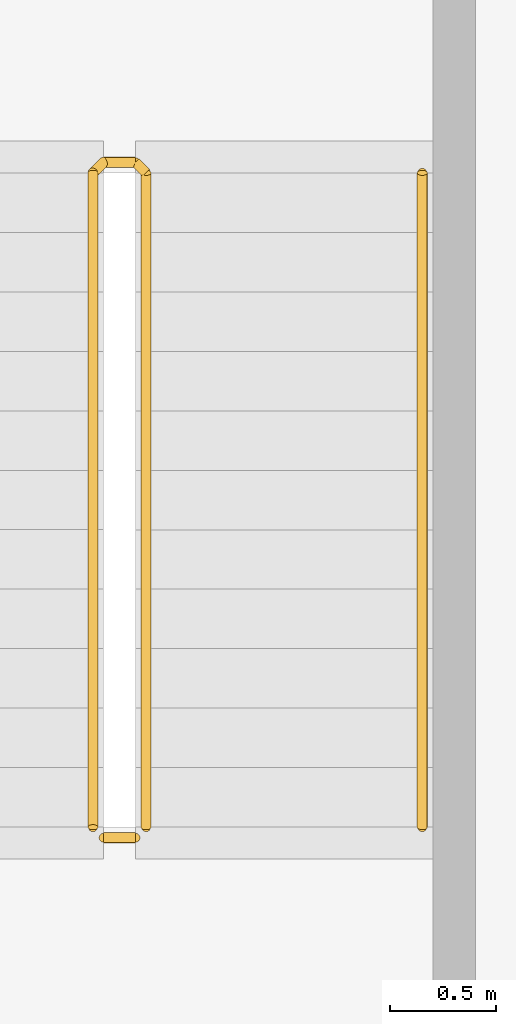
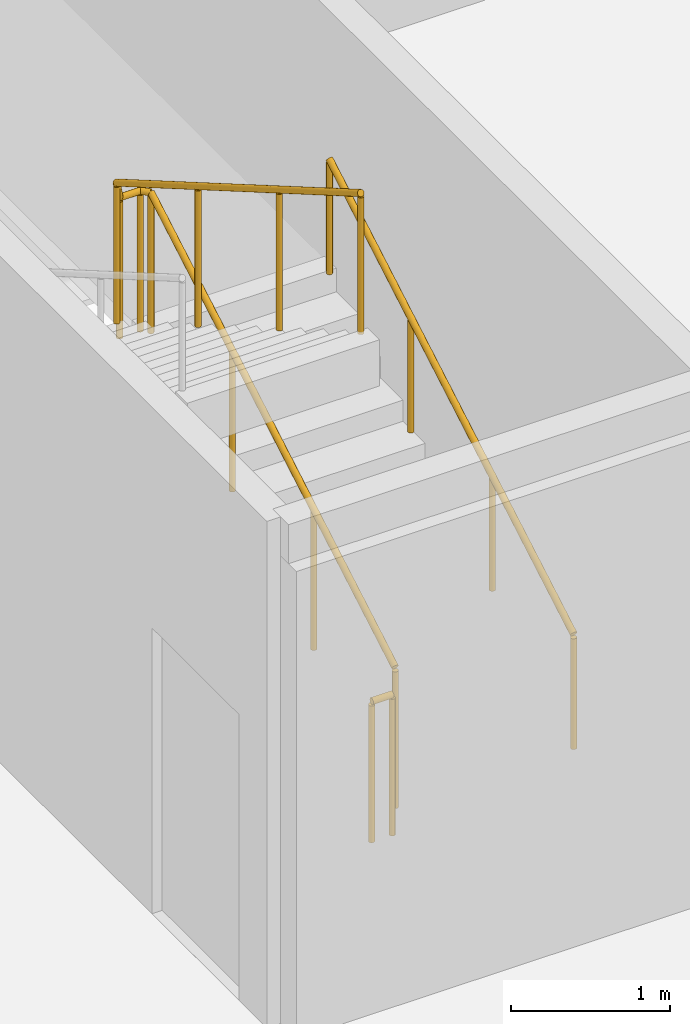
# One storey, part 21 of 22: 3 railings.
"""IFC4 building model written with IfcOpenShell, lengths in metres."""

from ifc_helpers import new_model, si_unit, direction, frame, origin, origin_2d, place, context, subcontext, project, spatial, circle, extrude, material, type_object, element, save


model = new_model("IFC4")

# Units and contexts
model_context = context("Model", 3, precision=1e-05, world=origin(), true_north=direction((0.0, 1.0)))
body_context = subcontext(model_context, "Body", "Model", "MODEL_VIEW")
ifc_project = project(units=[si_unit("LENGTHUNIT", "METRE"), si_unit("AREAUNIT", "SQUARE_METRE"), si_unit("VOLUMEUNIT", "CUBIC_METRE"), si_unit("PLANEANGLEUNIT", "RADIAN"), si_unit("MASSUNIT", "GRAM", prefix="KILO")], contexts=[model_context])

# Site, building, storey
site_placement = place(None, origin())
site = spatial("IfcSite", under=ifc_project, at=site_placement, CompositionType="ELEMENT")
building_placement = place(site_placement, origin())
building = spatial("IfcBuilding", under=site, at=building_placement, Name="Kheshtan School and Residences Tower", CompositionType="ELEMENT")
storey_placement = place(building_placement, frame((0.0, 0.0, 263.0)))
storey = spatial("IfcBuildingStorey", under=building, at=storey_placement, Name="L62", CompositionType="ELEMENT", Elevation=263.0)

# Railings
ifc_material_1 = material(Name="Stainless steel balustrade", Category="steel")
railing_type_1 = type_object("IfcRailingType", Name="Stair guard 1100", PredefinedType="GUARDRAIL", material=ifc_material_1)
railing_1_placement = place(storey_placement, frame((35.0, 80.89990234375, 0.16259765625)))
element("IfcRailing", 1, at=railing_1_placement, inside=storey, type_object=railing_type_1, Name="L62 ST3 stair guard 1", PredefinedType="GUARDRAIL", context=body_context, shape_type="SweptSolid", body=[
    extrude(circle(Radius=0.02392578125, at=origin_2d()), frame((0.0, 0.0, 1.076171875), z_axis=(0.0, 0.864920483161, 0.501908913857), x_axis=(-1.0, 0.0, 0.0)), (0.0, 0.0, 1.0), 3.56103515625),
    extrude(circle(Radius=0.02392578125, at=origin_2d()), frame((0.0, 3.080078125, 2.86328125), z_axis=(-0.707106781187, 0.707106781187, 0.0), x_axis=(-0.707106781187, -0.707106781187, 0.0)), (0.0, 0.0, 1.0), 0.07080078125),
    extrude(circle(Radius=0.02392578125, at=origin_2d()), frame((-0.050048828125, 3.130126953125, 2.86328125), z_axis=(-1.0, 0.0, 0.0), x_axis=(0.0, -1.0, 0.0)), (0.0, 0.0, 1.0), 0.14990234375),
    extrude(circle(Radius=0.02392578125, at=origin_2d()), frame((-0.199951171875, 3.130126953125, 2.86328125), z_axis=(-0.282227285176, -0.282227285176, 0.916894497205), x_axis=(0.707106781187, -0.707106781187, 0.0)), (0.0, 0.0, 1.0), 0.17724609375),
    extrude(circle(Radius=0.02392578125, at=origin_2d()), frame((-0.25, 3.080078125, 3.02587890625), z_axis=(0.0, -0.864920483161, 0.501908913857), x_axis=(1.0, 0.0, 0.0)), (0.0, 0.0, 1.0), 3.56103515625),
    extrude(circle(Radius=0.02099609375, at=origin_2d()), origin(), (0.0, 0.0, 1.0), 1.052001953125),
    extrude(circle(Radius=0.02099609375, at=origin_2d()), frame((0.0, 1.026611328125, 0.595703125)), (0.0, 0.0, 1.0), 1.052001953125),
    extrude(circle(Radius=0.02099609375, at=origin_2d()), frame((0.0, 2.053466796875, 1.191650390625)), (0.0, 0.0, 1.0), 1.052001953125),
    extrude(circle(Radius=0.02099609375, at=origin_2d()), frame((0.0, 3.080078125, 1.787353515625)), (0.0, 0.0, 1.0), 1.052001953125),
    extrude(circle(Radius=0.02099609375, at=origin_2d()), frame((-0.050048828125, 3.130126953125, 1.787353515625)), (0.0, 0.0, 1.0), 1.052001953125),
    extrude(circle(Radius=0.02099609375, at=origin_2d()), frame((-0.199951171875, 3.130126953125, 1.787353515625)), (0.0, 0.0, 1.0), 1.052001953125),
    extrude(circle(Radius=0.02099609375, at=origin_2d()), frame((-0.25, 3.080078125, 1.949951171875)), (0.0, 0.0, 1.0), 1.052001953125),
    extrude(circle(Radius=0.02099609375, at=origin_2d()), frame((-0.25, 2.053466796875, 2.545654296875)), (0.0, 0.0, 1.0), 1.052001953125),
    extrude(circle(Radius=0.02099609375, at=origin_2d()), frame((-0.25, 1.026611328125, 3.1416015625)), (0.0, 0.0, 1.0), 1.052001953125),
    extrude(circle(Radius=0.02099609375, at=origin_2d()), frame((-0.25, 0.0, 3.7373046875)), (0.0, 0.0, 1.0), 1.052001953125),
])
railing_2_placement = place(storey_placement, frame((34.949951171875, 80.85009765625, 0.0)))
element("IfcRailing", 2, at=railing_2_placement, inside=storey, type_object=railing_type_1, Name="L62 ST3 stair guard 2", PredefinedType="GUARDRAIL", context=body_context, shape_type="SweptSolid", body=[
    extrude(circle(Radius=0.02392578125, at=origin_2d()), frame((0.0, 0.0, 1.076171875), z_axis=(-1.0, 0.0, 0.0), x_axis=(0.0, -1.0, 0.0)), (0.0, 0.0, 1.0), 0.14990234375),
    extrude(circle(Radius=0.02099609375, at=origin_2d()), origin(), (0.0, 0.0, 1.0), 1.052001953125),
    extrude(circle(Radius=0.02099609375, at=origin_2d()), frame((-0.14990234375, 0.0, 0.0)), (0.0, 0.0, 1.0), 1.052001953125),
])
ifc_material_2 = material(Name="Stainless steel handrail", Category="steel")
railing_type_2 = type_object("IfcRailingType", Name="Stair handrail 900", PredefinedType="HANDRAIL", material=ifc_material_2)
railing_3_placement = place(storey_placement, frame((36.300048828125, 80.89990234375, 0.16259765625)))
element("IfcRailing", 3, at=railing_3_placement, inside=storey, type_object=railing_type_2, Name="L62 ST3 stair handrail 1", PredefinedType="HANDRAIL", context=body_context, shape_type="SweptSolid", body=[
    extrude(circle(Radius=0.02392578125, at=origin_2d()), frame((0.0, 0.0, 0.8759765625), z_axis=(0.0, 0.864920483161, 0.501908913857), x_axis=(-1.0, 0.0, 0.0)), (0.0, 0.0, 1.0), 3.56103515625),
    extrude(circle(Radius=0.02099609375, at=origin_2d()), origin(), (0.0, 0.0, 1.0), 0.851806640625),
    extrude(circle(Radius=0.02099609375, at=origin_2d()), frame((0.0, 1.026611328125, 0.595703125)), (0.0, 0.0, 1.0), 0.851806640625),
    extrude(circle(Radius=0.02099609375, at=origin_2d()), frame((0.0, 2.053466796875, 1.191650390625)), (0.0, 0.0, 1.0), 0.851806640625),
    extrude(circle(Radius=0.02099609375, at=origin_2d()), frame((0.0, 3.080078125, 1.787353515625)), (0.0, 0.0, 1.0), 0.851806640625),
])

save(model, "model.ifc")
